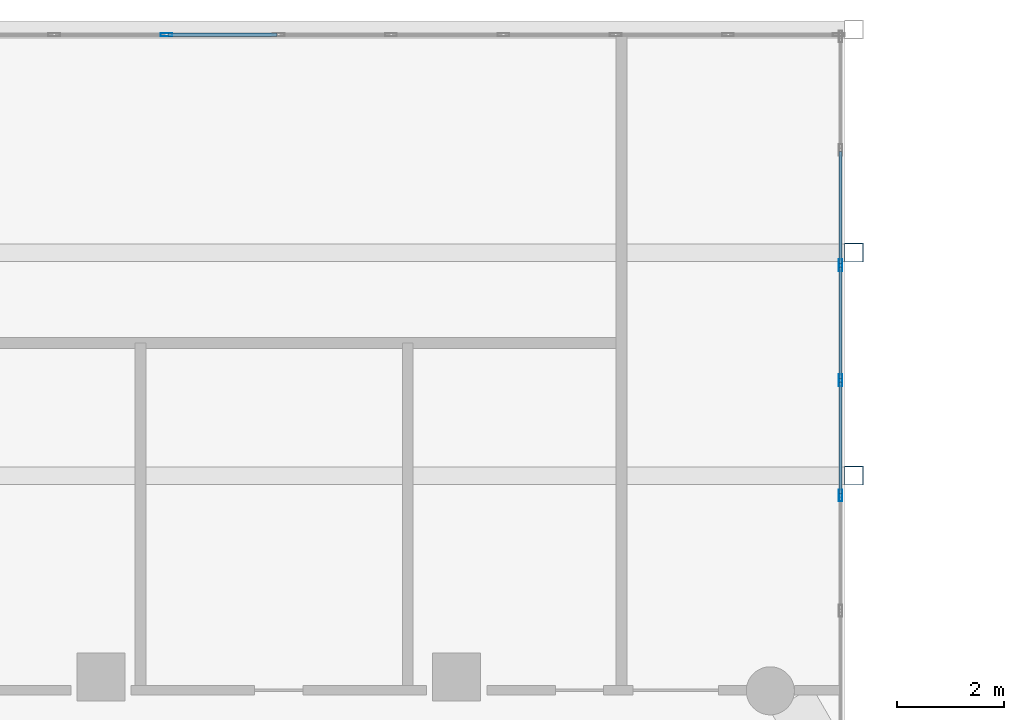
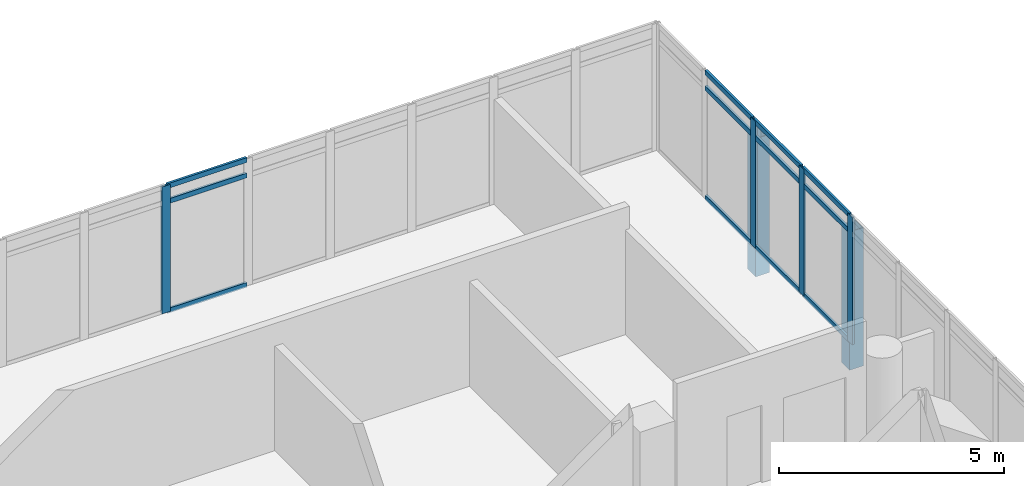
# One storey, part 15 of 25: 18 members, 2 elements without a shape of their own.
"""IFC4 building model written with IfcOpenShell, lengths in metres."""

from ifc_helpers import new_model, si_unit, direction, frame, origin, origin_2d, place, context, subcontext, project, spatial, hollow_rectangle, extrude, material, material_profile, profile_set, type_object, element, aggregate, save


model = new_model("IFC4")

# Units and contexts
model_context = context("Model", 3, precision=1e-05, world=origin(), true_north=direction((0.0, 1.0)))
body_context = subcontext(model_context, "Body", "Model", "MODEL_VIEW")
ifc_project = project(units=[si_unit("LENGTHUNIT", "METRE"), si_unit("AREAUNIT", "SQUARE_METRE"), si_unit("VOLUMEUNIT", "CUBIC_METRE"), si_unit("PLANEANGLEUNIT", "RADIAN"), si_unit("MASSUNIT", "GRAM", prefix="KILO")], contexts=[model_context])

# Site, building, storey
site_placement = place(None, origin())
site = spatial("IfcSite", under=ifc_project, at=site_placement, CompositionType="ELEMENT")
building_placement = place(site_placement, origin())
building = spatial("IfcBuilding", under=site, at=building_placement, Name="Ostrander Bayou Hotel Tower", CompositionType="ELEMENT")
storey_placement = place(building_placement, frame((0.0, 0.0, 229.5)))
storey = spatial("IfcBuildingStorey", under=building, at=storey_placement, Name="L57", CompositionType="ELEMENT", Elevation=229.5)

# Curtain wall, member
ifc_material_1 = material(Name="Aluminium and clear glass", Category="aluminium")
curtain_wall_type = type_object("IfcCurtainWallType", Name="CW-BAR glazed wall", PredefinedType="NOTDEFINED", material=ifc_material_1)
curtain_wall_1_placement = place(storey_placement, origin())
curtain_wall_1 = element("IfcCurtainWall", 1, at=curtain_wall_1_placement, inside=storey, type_object=curtain_wall_type, Name="CW-BAR L57:SB5N:T", PredefinedType="NOTDEFINED")
ifc_material_2 = material(Name="Aluminium", Category="aluminium")
ifc_material_profile_1 = material_profile(ifc_material_2, hollow_rectangle(XDim=0.06005859375, YDim=0.219970703125, WallThickness=0.00390625, at=origin_2d()))
ifc_profile_set_1 = profile_set([ifc_material_profile_1], Name="Aluminium")
member_type_1 = type_object("IfcMemberType", Name="CW-BR mullion 60 x 220 mm", PredefinedType="MULLION", material=ifc_profile_set_1)
member_1_placement = place(storey_placement, frame((-2.1025390625, 28.86669921875, 0.0), z_axis=(0.0, 0.0, 1.0), x_axis=(0.0, 1.0, 0.0)))
member_1 = element("IfcMember", 2, at=member_1_placement, type_object=member_type_1, Name="CW-BAR mullion 5", PredefinedType="MULLION", context=body_context, shape_type="SweptSolid", body=[
    extrude(hollow_rectangle(XDim=0.06005859375, YDim=0.219970703125, WallThickness=0.00390625, at=origin_2d()), origin(), (0.0, 0.0, 1.0), 3.449951171875),
])

# Curtain wall, members
curtain_wall_2_placement = place(storey_placement, origin())
curtain_wall_2 = element("IfcCurtainWall", 3, at=curtain_wall_2_placement, inside=storey, type_object=curtain_wall_type, Name="CW-BAR L57:SB5N:W", PredefinedType="NOTDEFINED")
member_2_placement = place(storey_placement, frame((10.51220703125, 20.24365234375, 0.0), z_axis=(0.0, 0.0, 1.0), x_axis=(-1.0, 0.0, 0.0)))
member_2 = element("IfcMember", 4, at=member_2_placement, type_object=member_type_1, Name="CW-BAR mullion 6", PredefinedType="MULLION", context=body_context, shape_type="SweptSolid", body=[
    extrude(hollow_rectangle(XDim=0.06005859375, YDim=0.219970703125, WallThickness=0.00390625, at=origin_2d()), origin(), (0.0, 0.0, 1.0), 3.449951171875),
])
member_3_placement = place(storey_placement, frame((10.51220703125, 22.3994140625, 0.0), z_axis=(0.0, 0.0, 1.0), x_axis=(-1.0, 0.0, 0.0)))
member_3 = element("IfcMember", 5, at=member_3_placement, type_object=member_type_1, Name="CW-BAR mullion 7", PredefinedType="MULLION", context=body_context, shape_type="SweptSolid", body=[
    extrude(hollow_rectangle(XDim=0.06005859375, YDim=0.219970703125, WallThickness=0.00390625, at=origin_2d()), origin(), (0.0, 0.0, 1.0), 3.449951171875),
])
member_4_placement = place(storey_placement, frame((10.51220703125, 24.55517578125, 0.0), z_axis=(0.0, 0.0, 1.0), x_axis=(-1.0, 0.0, 0.0)))
member_4 = element("IfcMember", 6, at=member_4_placement, type_object=member_type_1, Name="CW-BAR mullion 8", PredefinedType="MULLION", context=body_context, shape_type="SweptSolid", body=[
    extrude(hollow_rectangle(XDim=0.06005859375, YDim=0.219970703125, WallThickness=0.00390625, at=origin_2d()), origin(), (0.0, 0.0, 1.0), 3.449951171875),
])

# Member
ifc_material_3 = material(Name="Aluminium", Category="aluminium")
ifc_material_profile_2 = material_profile(ifc_material_3, hollow_rectangle(XDim=0.06005859375, YDim=0.1298828125, WallThickness=0.00390625, at=origin_2d()))
ifc_profile_set_2 = profile_set([ifc_material_profile_2], Name="Aluminium")
member_type_2 = type_object("IfcMemberType", Name="CW-BR transom 60 x 130 mm", PredefinedType="USERDEFINED", material=ifc_profile_set_2)
member_5_placement = place(storey_placement, frame((-2.072509765625, 28.86669921875, 0.030029296875), z_axis=(1.0, 0.0, 0.0), x_axis=(0.0, 1.0, 0.0)))
member_5 = element("IfcMember", 7, at=member_5_placement, type_object=member_type_2, Name="CW-BAR transom 5.1", ObjectType="TRANSOM", PredefinedType="USERDEFINED", context=body_context, shape_type="SweptSolid", body=[
    extrude(hollow_rectangle(XDim=0.06005859375, YDim=0.1298828125, WallThickness=0.00390625, at=origin_2d()), origin(), (0.0, 0.0, 1.0), 2.04248046875),
])

member_6_placement = place(storey_placement, frame((-2.072509765625, 28.86669921875, 3.0), z_axis=(1.0, 0.0, 0.0), x_axis=(0.0, 1.0, 0.0)))
member_6 = element("IfcMember", 8, at=member_6_placement, type_object=member_type_2, Name="CW-BAR transom 5.2", ObjectType="TRANSOM", PredefinedType="USERDEFINED", context=body_context, shape_type="SweptSolid", body=[
    extrude(hollow_rectangle(XDim=0.06005859375, YDim=0.1298828125, WallThickness=0.00390625, at=origin_2d()), origin(), (0.0, 0.0, 1.0), 2.04248046875),
])

member_7_placement = place(storey_placement, frame((-2.072509765625, 28.86669921875, 3.419921875), z_axis=(1.0, 0.0, 0.0), x_axis=(0.0, 1.0, 0.0)))
member_7 = element("IfcMember", 9, at=member_7_placement, type_object=member_type_2, Name="CW-BAR transom 5.3", ObjectType="TRANSOM", PredefinedType="USERDEFINED", context=body_context, shape_type="SweptSolid", body=[
    extrude(hollow_rectangle(XDim=0.06005859375, YDim=0.1298828125, WallThickness=0.00390625, at=origin_2d()), origin(), (0.0, 0.0, 1.0), 2.04248046875),
])

aggregate(curtain_wall_1, [member_1, member_5, member_6, member_7])

member_8_placement = place(storey_placement, frame((10.51220703125, 20.273681640625, 0.030029296875), z_axis=(0.0, 1.0, 0.0), x_axis=(-1.0, 0.0, 0.0)))
member_8 = element("IfcMember", 10, at=member_8_placement, type_object=member_type_2, Name="CW-BAR transom 6.1", ObjectType="TRANSOM", PredefinedType="USERDEFINED", context=body_context, shape_type="SweptSolid", body=[
    extrude(hollow_rectangle(XDim=0.06005859375, YDim=0.1298828125, WallThickness=0.00390625, at=origin_2d()), origin(), (0.0, 0.0, 1.0), 2.095703125),
])

member_9_placement = place(storey_placement, frame((10.51220703125, 20.273681640625, 3.0), z_axis=(0.0, 1.0, 0.0), x_axis=(-1.0, 0.0, 0.0)))
member_9 = element("IfcMember", 11, at=member_9_placement, type_object=member_type_2, Name="CW-BAR transom 6.2", ObjectType="TRANSOM", PredefinedType="USERDEFINED", context=body_context, shape_type="SweptSolid", body=[
    extrude(hollow_rectangle(XDim=0.06005859375, YDim=0.1298828125, WallThickness=0.00390625, at=origin_2d()), origin(), (0.0, 0.0, 1.0), 2.095703125),
])

member_10_placement = place(storey_placement, frame((10.51220703125, 20.273681640625, 3.419921875), z_axis=(0.0, 1.0, 0.0), x_axis=(-1.0, 0.0, 0.0)))
member_10 = element("IfcMember", 12, at=member_10_placement, type_object=member_type_2, Name="CW-BAR transom 6.3", ObjectType="TRANSOM", PredefinedType="USERDEFINED", context=body_context, shape_type="SweptSolid", body=[
    extrude(hollow_rectangle(XDim=0.06005859375, YDim=0.1298828125, WallThickness=0.00390625, at=origin_2d()), origin(), (0.0, 0.0, 1.0), 2.095703125),
])

member_11_placement = place(storey_placement, frame((10.51220703125, 22.429443359375, 0.030029296875), z_axis=(0.0, 1.0, 0.0), x_axis=(-1.0, 0.0, 0.0)))
member_11 = element("IfcMember", 13, at=member_11_placement, type_object=member_type_2, Name="CW-BAR transom 7.1", ObjectType="TRANSOM", PredefinedType="USERDEFINED", context=body_context, shape_type="SweptSolid", body=[
    extrude(hollow_rectangle(XDim=0.06005859375, YDim=0.1298828125, WallThickness=0.00390625, at=origin_2d()), origin(), (0.0, 0.0, 1.0), 2.095703125),
])

member_12_placement = place(storey_placement, frame((10.51220703125, 22.429443359375, 3.0), z_axis=(0.0, 1.0, 0.0), x_axis=(-1.0, 0.0, 0.0)))
member_12 = element("IfcMember", 14, at=member_12_placement, type_object=member_type_2, Name="CW-BAR transom 7.2", ObjectType="TRANSOM", PredefinedType="USERDEFINED", context=body_context, shape_type="SweptSolid", body=[
    extrude(hollow_rectangle(XDim=0.06005859375, YDim=0.1298828125, WallThickness=0.00390625, at=origin_2d()), origin(), (0.0, 0.0, 1.0), 2.095703125),
])

member_13_placement = place(storey_placement, frame((10.51220703125, 22.429443359375, 3.419921875), z_axis=(0.0, 1.0, 0.0), x_axis=(-1.0, 0.0, 0.0)))
member_13 = element("IfcMember", 15, at=member_13_placement, type_object=member_type_2, Name="CW-BAR transom 7.3", ObjectType="TRANSOM", PredefinedType="USERDEFINED", context=body_context, shape_type="SweptSolid", body=[
    extrude(hollow_rectangle(XDim=0.06005859375, YDim=0.1298828125, WallThickness=0.00390625, at=origin_2d()), origin(), (0.0, 0.0, 1.0), 2.095703125),
])

member_14_placement = place(storey_placement, frame((10.51220703125, 24.585205078125, 0.030029296875), z_axis=(0.0, 1.0, 0.0), x_axis=(-1.0, 0.0, 0.0)))
member_14 = element("IfcMember", 16, at=member_14_placement, type_object=member_type_2, Name="CW-BAR transom 8.1", ObjectType="TRANSOM", PredefinedType="USERDEFINED", context=body_context, shape_type="SweptSolid", body=[
    extrude(hollow_rectangle(XDim=0.06005859375, YDim=0.1298828125, WallThickness=0.00390625, at=origin_2d()), origin(), (0.0, 0.0, 1.0), 2.095703125),
])

member_15_placement = place(storey_placement, frame((10.51220703125, 24.585205078125, 3.0), z_axis=(0.0, 1.0, 0.0), x_axis=(-1.0, 0.0, 0.0)))
member_15 = element("IfcMember", 17, at=member_15_placement, type_object=member_type_2, Name="CW-BAR transom 8.2", ObjectType="TRANSOM", PredefinedType="USERDEFINED", context=body_context, shape_type="SweptSolid", body=[
    extrude(hollow_rectangle(XDim=0.06005859375, YDim=0.1298828125, WallThickness=0.00390625, at=origin_2d()), origin(), (0.0, 0.0, 1.0), 2.095703125),
])

member_16_placement = place(storey_placement, frame((10.51220703125, 24.585205078125, 3.419921875), z_axis=(0.0, 1.0, 0.0), x_axis=(-1.0, 0.0, 0.0)))
member_16 = element("IfcMember", 18, at=member_16_placement, type_object=member_type_2, Name="CW-BAR transom 8.3", ObjectType="TRANSOM", PredefinedType="USERDEFINED", context=body_context, shape_type="SweptSolid", body=[
    extrude(hollow_rectangle(XDim=0.06005859375, YDim=0.1298828125, WallThickness=0.00390625, at=origin_2d()), origin(), (0.0, 0.0, 1.0), 2.095703125),
])

aggregate(curtain_wall_2, [member_2, member_3, member_4, member_8, member_9, member_10, member_11, member_12, member_13, member_14, member_15, member_16])

# Members
ifc_material_4 = material(Name="Steel ASTM A500 Gr C", Category="steel")
ifc_material_profile_3 = material_profile(ifc_material_4, hollow_rectangle(XDim=0.355712890625, YDim=0.355712890625, WallThickness=0.0146484375, at=origin_2d()))
ifc_profile_set_3 = profile_set([ifc_material_profile_3], Name="Steel ASTM A500 Gr C")
member_type_3 = type_object("IfcMemberType", Name="TH1 bar hanger HSS14x14x5/8", PredefinedType="POST", material=ifc_profile_set_3)
for number, where, z_axis, x_axis, name in (
    (19, (10.764892578125, 24.790283203125, -0.9111328125), (0.0, 0.0, 1.0), (1.0, 0.0, 0.0), "TH1 SB5WB H2-3"),
    (20, (10.764892578125, 20.6142578125, -0.9111328125), (0.0, 0.0, 1.0), (1.0, 0.0, 0.0), "TH1 SB5WB H3-3"),
):
    element("IfcMember", number, at=place(storey_placement, frame(where, z_axis=z_axis, x_axis=x_axis)), inside=storey, type_object=member_type_3, Name=name, PredefinedType="POST", context=body_context, shape_type="SweptSolid", body=[
        extrude(hollow_rectangle(XDim=0.355712890625, YDim=0.355712890625, WallThickness=0.0146484375, at=origin_2d()), origin(), (0.0, 0.0, 1.0), 3.75),
    ])

save(model, "model.ifc")
